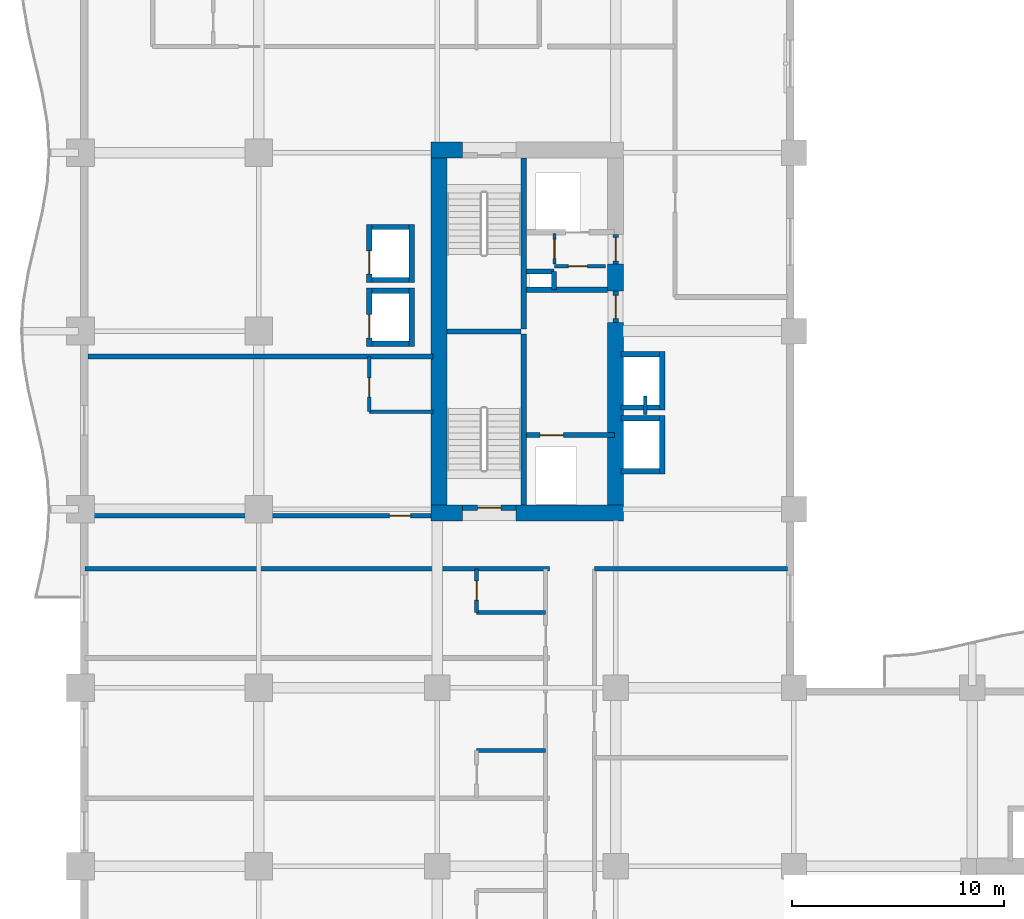
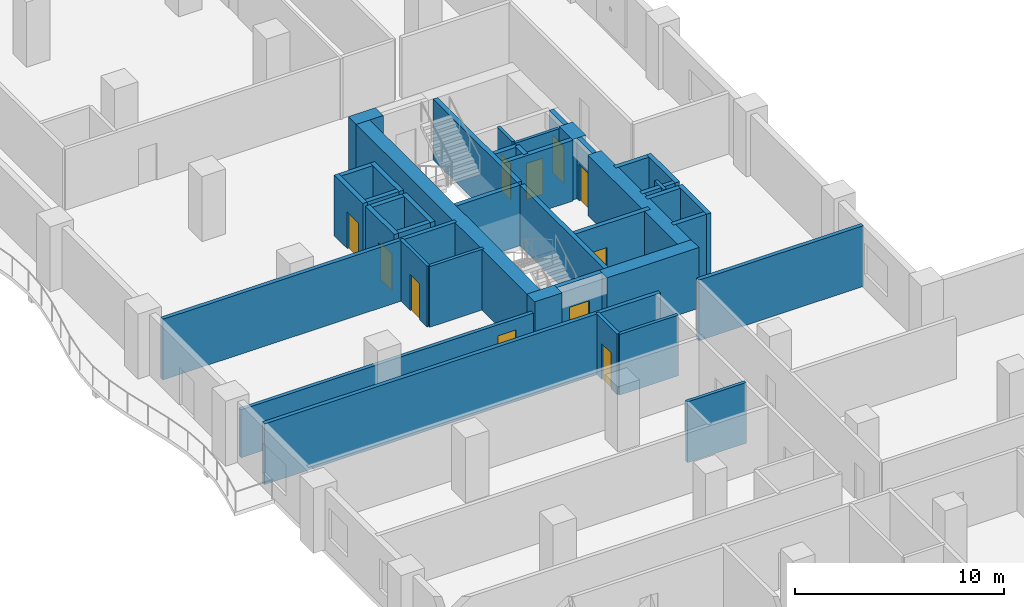
# One storey, part 13 of 23: 42 walls, 11 doors, 11 openings.
"""IFC4 building model written with IfcOpenShell, lengths in metres."""

from ifc_helpers import new_model, si_unit, direction, frame, frame_2d, origin, place, context, subcontext, project, spatial, rectangle, extrude, material, layer, layer_set, type_object, element, fill, save


model = new_model("IFC4")

# Units and contexts
model_context = context("Model", 3, precision=1e-05, world=origin(), true_north=direction((0.0, 1.0)))
body_context = subcontext(model_context, "Body", "Model", "MODEL_VIEW")
ifc_project = project(units=[si_unit("LENGTHUNIT", "METRE"), si_unit("AREAUNIT", "SQUARE_METRE"), si_unit("VOLUMEUNIT", "CUBIC_METRE"), si_unit("PLANEANGLEUNIT", "RADIAN"), si_unit("MASSUNIT", "GRAM", prefix="KILO")], contexts=[model_context])

# Site, building, storey
site_placement = place(None, origin())
site = spatial("IfcSite", under=ifc_project, at=site_placement, CompositionType="ELEMENT")
building_placement = place(site_placement, origin())
building = spatial("IfcBuilding", under=site, at=building_placement, Name="Koriwani Terraces Tower", CompositionType="ELEMENT")
storey_placement = place(building_placement, frame((0.0, 0.0, 119.0)))
storey = spatial("IfcBuildingStorey", under=building, at=storey_placement, Name="L28", CompositionType="ELEMENT", Elevation=119.0)

# Walls
ifc_material_1 = material(Name="Concrete C60/75", Category="concrete")
ifc_layer_1 = layer(ifc_material_1, 0.75, Name="Concrete C60/75")
ifc_layer_set_1 = layer_set([ifc_layer_1], Name="Concrete C60/75")
wall_type_1 = type_object("IfcWallType", Name="WALL_CORE_RC_750", PredefinedType="SHEAR", material=ifc_layer_set_1)
wall_1_placement = place(storey_placement, frame((16.5, 41.824951171875, 0.0), z_axis=(0.0, 0.0, 1.0), x_axis=(1.0, 0.0, 0.0)))
element("IfcWall", 1, at=wall_1_placement, inside=storey, type_object=wall_type_1, Name="L28 West Split Core Shear Wall S1", PredefinedType="SHEAR", context=body_context, shape_type="SweptSolid", body=[
    extrude(rectangle(XDim=1.5, YDim=0.75, at=frame_2d((0.75, 0.0))), origin(), (0.0, 0.0, 1.0), 3.550048828125),
])
wall_2_placement = place(storey_placement, frame((20.5, 41.824951171875, 0.0), z_axis=(0.0, 0.0, 1.0), x_axis=(1.0, 0.0, 0.0)))
element("IfcWall", 2, at=wall_2_placement, inside=storey, type_object=wall_type_1, Name="L28 West Split Core Shear Wall S2", PredefinedType="SHEAR", context=body_context, shape_type="SweptSolid", body=[
    extrude(rectangle(XDim=5.074951171875, YDim=0.75, at=frame_2d((2.53759765625, 0.0))), origin(), (0.0, 0.0, 1.0), 3.550048828125),
])
wall_3_placement = place(storey_placement, frame((16.5, 58.925048828125, 0.0), z_axis=(0.0, 0.0, 1.0), x_axis=(1.0, 0.0, 0.0)))
element("IfcWall", 3, at=wall_3_placement, inside=storey, type_object=wall_type_1, Name="L28 West Split Core Shear Wall N1", PredefinedType="SHEAR", context=body_context, shape_type="SweptSolid", body=[
    extrude(rectangle(XDim=1.5, YDim=0.75, at=frame_2d((0.75, 0.0))), origin(), (0.0, 0.0, 1.0), 3.550048828125),
])
wall_4_placement = place(storey_placement, frame((16.875, 42.199951171875, 0.0), z_axis=(0.0, 0.0, 1.0), x_axis=(0.0, 1.0, 0.0)))
element("IfcWall", 4, at=wall_4_placement, inside=storey, type_object=wall_type_1, Name="L28 West Split Core Shear Wall W1", PredefinedType="SHEAR", context=body_context, shape_type="SweptSolid", body=[
    extrude(rectangle(XDim=16.35009765625, YDim=0.75, at=frame_2d((8.175048828125, 0.0))), origin(), (0.0, 0.0, 1.0), 3.550048828125),
])
wall_5_placement = place(storey_placement, frame((25.199951171875, 42.199951171875, 0.0), z_axis=(0.0, 0.0, 1.0), x_axis=(0.0, 1.0, 0.0)))
element("IfcWall", 5, at=wall_5_placement, inside=storey, type_object=wall_type_1, Name="L28 West Split Core Shear Wall E1", PredefinedType="SHEAR", context=body_context, shape_type="SweptSolid", body=[
    extrude(rectangle(XDim=8.60009765625, YDim=0.75, at=frame_2d((4.300048828125, 0.0))), origin(), (0.0, 0.0, 1.0), 3.550048828125),
])
wall_6_placement = place(storey_placement, frame((25.199951171875, 52.280029296875, 0.0), z_axis=(0.0, 0.0, 1.0), x_axis=(0.0, 1.0, 0.0)))
element("IfcWall", 6, at=wall_6_placement, inside=storey, type_object=wall_type_1, Name="L28 West Split Core Shear Wall E2", PredefinedType="SHEAR", context=body_context, shape_type="SweptSolid", body=[
    extrude(rectangle(XDim=1.27001953125, YDim=0.75, at=frame_2d((0.635009765625, 0.0))), origin(), (0.0, 0.0, 1.0), 3.550048828125),
])

# Wall, opening, door
ifc_material_2 = material(Name="Autoclaved Cellular Concrete Blockwork", Category="masonry")
ifc_layer_2 = layer(ifc_material_2, 0.199951171875, Name="Autoclaved Cellular Concrete Blockwork")
ifc_layer_set_2 = layer_set([ifc_layer_2], Name="Autoclaved Cellular Concrete Blockwork")
wall_type_2 = type_object("IfcWallType", Name="WALL_CORRIDOR_200", PredefinedType="PARTITIONING", material=ifc_layer_set_2)
wall_7_placement = place(storey_placement, frame((0.35009765625, 41.699951171875, 0.0), z_axis=(0.0, 0.0, 1.0), x_axis=(1.0, 0.0, 0.0)))
wall_7 = element("IfcWall", 7, at=wall_7_placement, inside=storey, type_object=wall_type_2, Name="L28 Interior Wall WREC-WS-L28", PredefinedType="PARTITIONING", context=body_context, shape_type="SweptSolid", body=[
    extrude(rectangle(XDim=16.25, YDim=0.199951171875, at=frame_2d((8.125, 0.0))), origin(), (0.0, 0.0, 1.0), 2.800048828125),
])
opening_1_placement = place(wall_7_placement, frame((14.199951171875, 0.0, 0.0)))
opening_1 = element("IfcOpeningElement", 8, at=opening_1_placement, cuts=wall_7, Name="Opening D-05", PredefinedType="OPENING", context=body_context, shape_type="SweptSolid", body=[
    extrude(rectangle(XDim=1.0, YDim=2.14990234375, at=frame_2d((0.5, 1.074951171875))), frame((0.0, 0.10986328125, 0.0), z_axis=(0.0, -1.0, 0.0), x_axis=(1.0, 0.0, 0.0)), (0.0, 0.0, 1.0), 0.219970703125),
])
ifc_material_3 = material(Name="Architectural Oak Fire Door", Category="wood")
door_type_1 = type_object("IfcDoorType", Name="DOOR_SUITE_ENTRY_1000X2150", OperationType="NOTDEFINED", PredefinedType="DOOR", material=ifc_material_3)
door_1_placement = place(opening_1_placement, origin())
door_1 = element("IfcDoor", 9, at=door_1_placement, inside=storey, type_object=door_type_1, Name="L28 Reclaimed West Suite Door", OperationType="SINGLE_SWING_RIGHT", OverallHeight=2.14990234375, OverallWidth=1.0, PredefinedType="DOOR", context=body_context, shape_type="SweptSolid", body=[
    extrude(rectangle(XDim=1.0, YDim=2.14990234375, at=frame_2d((0.5, 1.074951171875))), frame((0.0, 0.02490234375, 0.0), z_axis=(0.0, -1.0, 0.0), x_axis=(1.0, 0.0, 0.0)), (0.0, 0.0, 1.0), 0.050048828125),
])
fill(opening_1, door_1)

# Walls
ifc_layer_3 = layer(ifc_material_2, 0.219970703125, Name="Autoclaved Cellular Concrete Blockwork")
ifc_layer_set_3 = layer_set([ifc_layer_3], Name="Autoclaved Cellular Concrete Blockwork")
wall_type_3 = type_object("IfcWallType", Name="WALL_DEMISING_220", PredefinedType="PARTITIONING", material=ifc_layer_set_3)
wall_8_placement = place(storey_placement, frame((0.35009765625, 49.199951171875, 0.0), z_axis=(0.0, 0.0, 1.0), x_axis=(1.0, 0.0, 0.0)))
element("IfcWall", 10, at=wall_8_placement, inside=storey, type_object=wall_type_3, Name="L28 Interior Wall WREC-WN-L28", PredefinedType="PARTITIONING", context=body_context, shape_type="SweptSolid", body=[
    extrude(rectangle(XDim=16.25, YDim=0.219970703125, at=frame_2d((8.125, 0.0))), origin(), (0.0, 0.0, 1.0), 3.550048828125),
])
wall_9_placement = place(storey_placement, frame((24.199951171875, 39.199951171875, 0.0), z_axis=(0.0, 0.0, 1.0), x_axis=(1.0, 0.0, 0.0)))
element("IfcWall", 11, at=wall_9_placement, inside=storey, type_object=wall_type_3, Name="L28 Interior Wall WIC2-N-L28", PredefinedType="PARTITIONING", context=body_context, shape_type="SweptSolid", body=[
    extrude(rectangle(XDim=9.10009765625, YDim=0.219970703125, at=frame_2d((4.550048828125, 0.0))), origin(), (0.0, 0.0, 1.0), 3.550048828125),
])
wall_10_placement = place(storey_placement, frame((0.199951171875, 39.199951171875, 0.0), z_axis=(0.0, 0.0, 1.0), x_axis=(1.0, 0.0, 0.0)))
element("IfcWall", 12, at=wall_10_placement, inside=storey, type_object=wall_type_3, Name="L28 Interior Wall WDEME-L28-NW", PredefinedType="PARTITIONING", context=body_context, shape_type="SweptSolid", body=[
    extrude(rectangle(XDim=21.880126953125, YDim=0.219970703125, at=frame_2d((10.93994140625, 0.0))), origin(), (0.0, 0.0, 1.0), 3.550048828125),
])
ifc_material_4 = material(Name="Fire-Rated Acoustic Gypsum Partition", Category="masonry")
ifc_layer_4 = layer(ifc_material_4, 0.179931640625, Name="Fire-Rated Acoustic Gypsum Partition")
ifc_layer_set_4 = layer_set([ifc_layer_4], Name="Fire-Rated Acoustic Gypsum Partition")
wall_type_4 = type_object("IfcWallType", Name="WALL_PLUMBING_180", PredefinedType="PLUMBINGWALL", material=ifc_layer_set_4)
wall_11_placement = place(storey_placement, frame((13.60009765625, 46.60009765625, 0.0), z_axis=(0.0, 0.0, 1.0), x_axis=(1.0, 0.0, 0.0)))
element("IfcWall", 13, at=wall_11_placement, inside=storey, type_object=wall_type_4, Name="L28 Interior Wall WREC-WB1-L28", PredefinedType="PLUMBINGWALL", context=body_context, shape_type="SweptSolid", body=[
    extrude(rectangle(XDim=3.0, YDim=0.179931640625, at=frame_2d((1.5, 0.0))), origin(), (0.0, 0.0, 1.0), 3.550048828125),
])

# Wall, opening, door
wall_12_placement = place(storey_placement, frame((13.60009765625, 46.60009765625, 0.0), z_axis=(0.0, 0.0, 1.0), x_axis=(0.0, 1.0, 0.0)))
wall_12 = element("IfcWall", 14, at=wall_12_placement, inside=storey, type_object=wall_type_4, Name="L28 Interior Wall WREC-WB2-L28", PredefinedType="PLUMBINGWALL", context=body_context, shape_type="SweptSolid", body=[
    extrude(rectangle(XDim=2.599853515625, YDim=0.179931640625, at=frame_2d((1.2998046875, 0.0))), origin(), (0.0, 0.0, 1.0), 3.550048828125),
])
opening_2_placement = place(wall_12_placement, frame((0.699951171875, 0.0, 0.0)))
opening_2 = element("IfcOpeningElement", 15, at=opening_2_placement, cuts=wall_12, Name="Opening D-07", PredefinedType="OPENING", context=body_context, shape_type="SweptSolid", body=[
    extrude(rectangle(XDim=0.89990234375, YDim=2.10009765625, at=frame_2d((0.449951171875, 1.050048828125))), frame((0.0, 0.10009765625, 0.0), z_axis=(0.0, -1.0, 0.0), x_axis=(1.0, 0.0, 0.0)), (0.0, 0.0, 1.0), 0.199951171875),
])
door_type_2 = type_object("IfcDoorType", Name="DOOR_BATH_INT_900X2100", OperationType="NOTDEFINED", PredefinedType="DOOR", material=ifc_material_3)
door_2_placement = place(opening_2_placement, origin())
door_2 = element("IfcDoor", 16, at=door_2_placement, inside=storey, type_object=door_type_2, Name="L28 Reclaimed Suite En-Suite Door", OperationType="SINGLE_SWING_LEFT", OverallHeight=2.10009765625, OverallWidth=0.89990234375, PredefinedType="DOOR", context=body_context, shape_type="SweptSolid", body=[
    extrude(rectangle(XDim=0.89990234375, YDim=2.10009765625, at=frame_2d((0.449951171875, 1.050048828125))), frame((0.0, 0.02490234375, 0.0), z_axis=(0.0, -1.0, 0.0), x_axis=(1.0, 0.0, 0.0)), (0.0, 0.0, 1.0), 0.050048828125),
])
fill(opening_2, door_2)

# Wall
wall_13_placement = place(storey_placement, frame((18.64990234375, 30.64990234375, 0.0), z_axis=(0.0, 0.0, 1.0), x_axis=(1.0, 0.0, 0.0)))
element("IfcWall", 17, at=wall_13_placement, inside=storey, type_object=wall_type_4, Name="L28 Interior Wall WBTH2-L28-NW-1", PredefinedType="PLUMBINGWALL", context=body_context, shape_type="SweptSolid", body=[
    extrude(rectangle(XDim=3.25, YDim=0.179931640625, at=frame_2d((1.625, 0.0))), origin(), (0.0, 0.0, 1.0), 3.550048828125),
])

# Wall, opening, door
wall_14_placement = place(storey_placement, frame((18.64990234375, 37.14990234375, 0.0), z_axis=(0.0, 0.0, 1.0), x_axis=(0.0, 1.0, 0.0)))
wall_14 = element("IfcWall", 18, at=wall_14_placement, inside=storey, type_object=wall_type_4, Name="L28 Interior Wall WBTH1-L28-NW-2", PredefinedType="PLUMBINGWALL", context=body_context, shape_type="SweptSolid", body=[
    extrude(rectangle(XDim=2.050048828125, YDim=0.179931640625, at=frame_2d((1.02490234375, 0.0))), origin(), (0.0, 0.0, 1.0), 3.550048828125),
])
opening_3_placement = place(wall_14_placement, frame((0.574951171875, 0.0, 0.0)))
opening_3 = element("IfcOpeningElement", 19, at=opening_3_placement, cuts=wall_14, Name="Opening D-07", PredefinedType="OPENING", context=body_context, shape_type="SweptSolid", body=[
    extrude(rectangle(XDim=0.89990234375, YDim=2.10009765625, at=frame_2d((0.449951171875, 1.050048828125))), frame((0.0, 0.10009765625, 0.0), z_axis=(0.0, -1.0, 0.0), x_axis=(1.0, 0.0, 0.0)), (0.0, 0.0, 1.0), 0.199951171875),
])
door_3_placement = place(opening_3_placement, origin())
door_3 = element("IfcDoor", 20, at=door_3_placement, inside=storey, type_object=door_type_2, Name="En-Suite Bathroom 28NW3 Door", OperationType="SINGLE_SWING_RIGHT", OverallHeight=2.10009765625, OverallWidth=0.89990234375, PredefinedType="DOOR", context=body_context, shape_type="SweptSolid", body=[
    extrude(rectangle(XDim=0.89990234375, YDim=2.10009765625, at=frame_2d((0.449951171875, 1.050048828125))), frame((0.0, 0.02490234375, 0.0), z_axis=(0.0, -1.0, 0.0), x_axis=(1.0, 0.0, 0.0)), (0.0, 0.0, 1.0), 0.050048828125),
])
fill(opening_3, door_3)

# Walls
wall_15_placement = place(storey_placement, frame((18.64990234375, 37.14990234375, 0.0), z_axis=(0.0, 0.0, 1.0), x_axis=(1.0, 0.0, 0.0)))
element("IfcWall", 21, at=wall_15_placement, inside=storey, type_object=wall_type_4, Name="L28 Interior Wall WBTH2-L28-NW-2", PredefinedType="PLUMBINGWALL", context=body_context, shape_type="SweptSolid", body=[
    extrude(rectangle(XDim=3.25, YDim=0.179931640625, at=frame_2d((1.625, 0.0))), origin(), (0.0, 0.0, 1.0), 3.550048828125),
])
ifc_material_5 = material(Name="Concrete C40/50", Category="concrete")
ifc_layer_5 = layer(ifc_material_5, 0.25, Name="Concrete C40/50")
ifc_layer_set_5 = layer_set([ifc_layer_5], Name="Concrete C40/50")
wall_type_5 = type_object("IfcWallType", Name="WALL_SHAFT_RATED_250", PredefinedType="SOLIDWALL", material=ifc_layer_set_5)
for number, where, z_axis, x_axis, name in (
    (22, (20.875, 42.199951171875, 0.0), (0.0, 0.0, 1.0), (0.0, 1.0, 0.0), "L28 West Split Core Web Wall MID1"),
    (23, (20.875, 50.5, 0.0), (0.0, 0.0, 1.0), (0.0, 1.0, 0.0), "L28 West Split Core Web Wall MID2"),
):
    element("IfcWall", number, at=place(storey_placement, frame(where, z_axis=z_axis, x_axis=x_axis)), inside=storey, type_object=wall_type_5, Name=name, PredefinedType="SOLIDWALL", context=body_context, shape_type="SweptSolid", body=[
        extrude(rectangle(XDim=8.050048828125, YDim=0.25, at=frame_2d((4.02490234375, 0.0))), origin(), (0.0, 0.0, 1.0), 3.550048828125),
    ])
wall_16_placement = place(storey_placement, frame((17.25, 50.375, 0.0), z_axis=(0.0, 0.0, 1.0), x_axis=(1.0, 0.0, 0.0)))
element("IfcWall", 24, at=wall_16_placement, inside=storey, type_object=wall_type_5, Name="L28 West Split Core Stair Dividing Wall", PredefinedType="SOLIDWALL", context=body_context, shape_type="SweptSolid", body=[
    extrude(rectangle(XDim=3.5, YDim=0.25, at=frame_2d((1.75, 0.0))), origin(), (0.0, 0.0, 1.0), 3.550048828125),
])

# Wall, opening, door
wall_17_placement = place(storey_placement, frame((18.0, 42.074951171875, 0.0), z_axis=(0.0, 0.0, 1.0), x_axis=(1.0, 0.0, 0.0)))
wall_17 = element("IfcWall", 25, at=wall_17_placement, inside=storey, type_object=wall_type_5, Name="L28 Interior Wall WIN-CW-L28-STS", PredefinedType="SOLIDWALL", context=body_context, shape_type="SweptSolid", body=[
    extrude(rectangle(XDim=2.5, YDim=0.25, at=frame_2d((1.25, 0.0))), origin(), (0.0, 0.0, 1.0), 3.550048828125),
])
opening_4_placement = place(wall_17_placement, frame((0.699951171875, 0.0, 0.0)))
opening_4 = element("IfcOpeningElement", 26, at=opening_4_placement, cuts=wall_17, Name="Opening D-03", PredefinedType="OPENING", context=body_context, shape_type="SweptSolid", body=[
    extrude(rectangle(XDim=1.10009765625, YDim=2.14990234375, at=frame_2d((0.550048828125, 1.074951171875))), frame((0.0, 0.135009765625, 0.0), z_axis=(0.0, -1.0, 0.0), x_axis=(1.0, 0.0, 0.0)), (0.0, 0.0, 1.0), 0.27001953125),
])
ifc_material_6 = material(Name="Steel ASTM A572 Grade 50", Category="steel")
door_type_3 = type_object("IfcDoorType", Name="DOOR_STAIR_FIRE_1100X2150", OperationType="NOTDEFINED", PredefinedType="DOOR", material=ifc_material_6)
door_4_placement = place(opening_4_placement, origin())
door_4 = element("IfcDoor", 27, at=door_4_placement, inside=storey, type_object=door_type_3, Name="L28 Exit Stair ST-W1 Door", OperationType="SINGLE_SWING_RIGHT", OverallHeight=2.14990234375, OverallWidth=1.10009765625, PredefinedType="DOOR", context=body_context, shape_type="SweptSolid", body=[
    extrude(rectangle(XDim=1.10009765625, YDim=2.14990234375, at=frame_2d((0.550048828125, 1.074951171875))), frame((0.0, 0.02490234375, 0.0), z_axis=(0.0, -1.0, 0.0), x_axis=(1.0, 0.0, 0.0)), (0.0, 0.0, 1.0), 0.050048828125),
])
fill(opening_4, door_4)

wall_18_placement = place(storey_placement, frame((21.0, 45.5, 0.0), z_axis=(0.0, 0.0, 1.0), x_axis=(1.0, 0.0, 0.0)))
wall_18 = element("IfcWall", 28, at=wall_18_placement, inside=storey, type_object=wall_type_5, Name="L28 Interior Wall WIN-CW-L28-FE", PredefinedType="SOLIDWALL", context=body_context, shape_type="SweptSolid", body=[
    extrude(rectangle(XDim=4.14990234375, YDim=0.25, at=frame_2d((2.074951171875, 0.0))), origin(), (0.0, 0.0, 1.0), 3.550048828125),
])
opening_5_placement = place(wall_18_placement, frame((0.64990234375, 0.0, 0.0)))
opening_5 = element("IfcOpeningElement", 29, at=opening_5_placement, cuts=wall_18, Name="Opening LD-01", PredefinedType="OPENING", context=body_context, shape_type="SweptSolid", body=[
    extrude(rectangle(XDim=1.10009765625, YDim=2.14990234375, at=frame_2d((0.550048828125, 1.074951171875))), frame((0.0, 0.135009765625, 0.0), z_axis=(0.0, -1.0, 0.0), x_axis=(1.0, 0.0, 0.0)), (0.0, 0.0, 1.0), 0.27001953125),
])
door_type_4 = type_object("IfcDoorType", Name="DOOR_LIFT_LANDING_1100X2200", OperationType="NOTDEFINED", PredefinedType="DOOR", material=ifc_material_6)
door_5_placement = place(opening_5_placement, origin())
door_5 = element("IfcDoor", 30, at=door_5_placement, inside=storey, type_object=door_type_4, Name="L28 Firefighting Lift FE-01 Landing Door", OperationType="SLIDING_TO_LEFT", OverallHeight=2.14990234375, OverallWidth=1.10009765625, PredefinedType="DOOR", context=body_context, shape_type="SweptSolid", body=[
    extrude(rectangle(XDim=1.10009765625, YDim=2.14990234375, at=frame_2d((0.550048828125, 1.074951171875))), frame((0.0, 0.02490234375, 0.0), z_axis=(0.0, -1.0, 0.0), x_axis=(1.0, 0.0, 0.0)), (0.0, 0.0, 1.0), 0.050048828125),
])
fill(opening_5, door_5)

wall_19_placement = place(storey_placement, frame((25.199951171875, 50.800048828125, 0.0), z_axis=(0.0, 0.0, 1.0), x_axis=(0.0, 1.0, 0.0)))
wall_19 = element("IfcWall", 31, at=wall_19_placement, inside=storey, type_object=wall_type_5, Name="L28 Interior Wall WIN-CW-L28-EP", PredefinedType="SOLIDWALL", context=body_context, shape_type="SweptSolid", body=[
    extrude(rectangle(XDim=1.47998046875, YDim=0.25, at=frame_2d((0.739990234375, 0.0))), origin(), (0.0, 0.0, 1.0), 3.550048828125),
])
opening_6_placement = place(wall_19_placement, frame((0.179931640625, 0.0, 0.0)))
opening_6 = element("IfcOpeningElement", 32, at=opening_6_placement, cuts=wall_19, Name="Opening D-03", PredefinedType="OPENING", context=body_context, shape_type="SweptSolid", body=[
    extrude(rectangle(XDim=1.10009765625, YDim=2.14990234375, at=frame_2d((0.550048828125, 1.074951171875))), frame((0.0, 0.135009765625, 0.0), z_axis=(0.0, -1.0, 0.0), x_axis=(1.0, 0.0, 0.0)), (0.0, 0.0, 1.0), 0.27001953125),
])
door_6_placement = place(opening_6_placement, origin())
door_6 = element("IfcDoor", 33, at=door_6_placement, inside=storey, type_object=door_type_3, Name="L28 West Firefighting Lobby Door", OperationType="SINGLE_SWING_RIGHT", OverallHeight=2.14990234375, OverallWidth=1.10009765625, PredefinedType="DOOR", context=body_context, shape_type="SweptSolid", body=[
    extrude(rectangle(XDim=1.10009765625, YDim=2.14990234375, at=frame_2d((0.550048828125, 1.074951171875))), frame((0.0, 0.02490234375, 0.0), z_axis=(0.0, -1.0, 0.0), x_axis=(1.0, 0.0, 0.0)), (0.0, 0.0, 1.0), 0.050048828125),
])
fill(opening_6, door_6)

# Wall
wall_20_placement = place(storey_placement, frame((21.0, 52.340087890625, 0.0), z_axis=(0.0, 0.0, 1.0), x_axis=(1.0, 0.0, 0.0)))
element("IfcWall", 34, at=wall_20_placement, inside=storey, type_object=wall_type_5, Name="L28 Interior Wall WIN-CW-L28-FFN", PredefinedType="SOLIDWALL", context=body_context, shape_type="SweptSolid", body=[
    extrude(rectangle(XDim=3.824951171875, YDim=0.25, at=frame_2d((1.91259765625, 0.0))), origin(), (0.0, 0.0, 1.0), 3.550048828125),
])

# Wall, opening, door
wall_21_placement = place(storey_placement, frame((25.199951171875, 53.550048828125, 0.0), z_axis=(0.0, 0.0, 1.0), x_axis=(0.0, 1.0, 0.0)))
wall_21 = element("IfcWall", 35, at=wall_21_placement, inside=storey, type_object=wall_type_5, Name="L28 Interior Wall WIN-CW-L28-EP2", PredefinedType="SOLIDWALL", context=body_context, shape_type="SweptSolid", body=[
    extrude(rectangle(XDim=1.39990234375, YDim=0.25, at=frame_2d((0.699951171875, 0.0))), origin(), (0.0, 0.0, 1.0), 3.550048828125),
])
opening_7_placement = place(wall_21_placement, frame((0.14990234375, 0.0, 0.0)))
opening_7 = element("IfcOpeningElement", 36, at=opening_7_placement, cuts=wall_21, Name="Opening D-03", PredefinedType="OPENING", context=body_context, shape_type="SweptSolid", body=[
    extrude(rectangle(XDim=1.10009765625, YDim=2.14990234375, at=frame_2d((0.550048828125, 1.074951171875))), frame((0.0, 0.135009765625, 0.0), z_axis=(0.0, -1.0, 0.0), x_axis=(1.0, 0.0, 0.0)), (0.0, 0.0, 1.0), 0.27001953125),
])
door_7_placement = place(opening_7_placement, origin())
door_7 = element("IfcDoor", 37, at=door_7_placement, inside=storey, type_object=door_type_3, Name="L28 West Goods Lift Lobby Door", OperationType="SINGLE_SWING_LEFT", OverallHeight=2.14990234375, OverallWidth=1.10009765625, PredefinedType="DOOR", context=body_context, shape_type="SweptSolid", body=[
    extrude(rectangle(XDim=1.10009765625, YDim=2.14990234375, at=frame_2d((0.550048828125, 1.074951171875))), frame((0.0, 0.02490234375, 0.0), z_axis=(0.0, -1.0, 0.0), x_axis=(1.0, 0.0, 0.0)), (0.0, 0.0, 1.0), 0.050048828125),
])
fill(opening_7, door_7)

# Walls
wall_22_placement = place(storey_placement, frame((21.0, 53.199951171875, 0.0), z_axis=(0.0, 0.0, 1.0), x_axis=(1.0, 0.0, 0.0)))
element("IfcWall", 38, at=wall_22_placement, inside=storey, type_object=wall_type_5, Name="L28 Interior Wall WIN-CW-L28-RS1", PredefinedType="SOLIDWALL", context=body_context, shape_type="SweptSolid", body=[
    extrude(rectangle(XDim=1.300048828125, YDim=0.25, at=frame_2d((0.64990234375, 0.0))), origin(), (0.0, 0.0, 1.0), 3.550048828125),
])
wall_23_placement = place(storey_placement, frame((22.300048828125, 52.360107421875, 0.0), z_axis=(0.0, 0.0, 1.0), x_axis=(0.0, 1.0, 0.0)))
element("IfcWall", 39, at=wall_23_placement, inside=storey, type_object=wall_type_5, Name="L28 Interior Wall WIN-CW-L28-RS2", PredefinedType="SOLIDWALL", context=body_context, shape_type="SweptSolid", body=[
    extrude(rectangle(XDim=0.83984375, YDim=0.25, at=frame_2d((0.419921875, 0.0))), origin(), (0.0, 0.0, 1.0), 3.550048828125),
])

# Wall, opening, door
wall_24_placement = place(storey_placement, frame((13.60009765625, 49.675048828125, 0.0), z_axis=(0.0, 0.0, 1.0), x_axis=(0.0, 1.0, 0.0)))
wall_24 = element("IfcWall", 40, at=wall_24_placement, inside=storey, type_object=wall_type_5, Name="L28 Interior Wall WIN-LF-PE-M1-L28-F", PredefinedType="SOLIDWALL", context=body_context, shape_type="SweptSolid", body=[
    extrude(rectangle(XDim=2.75, YDim=0.25, at=frame_2d((1.375, 0.0))), origin(), (0.0, 0.0, 1.0), 3.550048828125),
])
opening_8_placement = place(wall_24_placement, frame((0.39990234375, 0.0, 0.0)))
opening_8 = element("IfcOpeningElement", 41, at=opening_8_placement, cuts=wall_24, Name="Opening LD-01", PredefinedType="OPENING", context=body_context, shape_type="SweptSolid", body=[
    extrude(rectangle(XDim=1.10009765625, YDim=2.14990234375, at=frame_2d((0.550048828125, 1.074951171875))), frame((0.0, 0.135009765625, 0.0), z_axis=(0.0, -1.0, 0.0), x_axis=(1.0, 0.0, 0.0)), (0.0, 0.0, 1.0), 0.27001953125),
])
door_8_placement = place(opening_8_placement, origin())
door_8 = element("IfcDoor", 42, at=door_8_placement, inside=storey, type_object=door_type_4, Name="L28 Passenger Lift PE-M1 Landing Door", OperationType="SLIDING_TO_LEFT", OverallHeight=2.14990234375, OverallWidth=1.10009765625, PredefinedType="DOOR", context=body_context, shape_type="SweptSolid", body=[
    extrude(rectangle(XDim=1.10009765625, YDim=2.14990234375, at=frame_2d((0.550048828125, 1.074951171875))), frame((0.0, 0.02490234375, 0.0), z_axis=(0.0, -1.0, 0.0), x_axis=(1.0, 0.0, 0.0)), (0.0, 0.0, 1.0), 0.050048828125),
])
fill(opening_8, door_8)

# Walls
wall_25_placement = place(storey_placement, frame((15.60009765625, 49.675048828125, 0.0), z_axis=(0.0, 0.0, 1.0), x_axis=(0.0, 1.0, 0.0)))
element("IfcWall", 43, at=wall_25_placement, inside=storey, type_object=wall_type_5, Name="L28 Interior Wall WIN-LF-PE-M1-L28-B", PredefinedType="SOLIDWALL", context=body_context, shape_type="SweptSolid", body=[
    extrude(rectangle(XDim=2.75, YDim=0.25, at=frame_2d((1.375, 0.0))), origin(), (0.0, 0.0, 1.0), 3.550048828125),
])
for number, where, z_axis, x_axis, name in (
    (44, (13.72509765625, 49.800048828125, 0.0), (0.0, 0.0, 1.0), (1.0, 0.0, 0.0), "L28 Interior Wall WIN-LF-PE-M1-L28-S"),
    (45, (13.72509765625, 52.300048828125, 0.0), (0.0, 0.0, 1.0), (1.0, 0.0, 0.0), "L28 Interior Wall WIN-LF-PE-M1-L28-N"),
):
    element("IfcWall", number, at=place(storey_placement, frame(where, z_axis=z_axis, x_axis=x_axis)), inside=storey, type_object=wall_type_5, Name=name, PredefinedType="SOLIDWALL", context=body_context, shape_type="SweptSolid", body=[
        extrude(rectangle(XDim=1.75, YDim=0.25, at=frame_2d((0.875, 0.0))), origin(), (0.0, 0.0, 1.0), 3.550048828125),
    ])

# Wall, opening, door
wall_26_placement = place(storey_placement, frame((13.60009765625, 52.675048828125, 0.0), z_axis=(0.0, 0.0, 1.0), x_axis=(0.0, 1.0, 0.0)))
wall_26 = element("IfcWall", 46, at=wall_26_placement, inside=storey, type_object=wall_type_5, Name="L28 Interior Wall WIN-LF-PE-M2-L28-F", PredefinedType="SOLIDWALL", context=body_context, shape_type="SweptSolid", body=[
    extrude(rectangle(XDim=2.75, YDim=0.25, at=frame_2d((1.375, 0.0))), origin(), (0.0, 0.0, 1.0), 3.550048828125),
])
opening_9_placement = place(wall_26_placement, frame((0.39990234375, 0.0, 0.0)))
opening_9 = element("IfcOpeningElement", 47, at=opening_9_placement, cuts=wall_26, Name="Opening LD-01", PredefinedType="OPENING", context=body_context, shape_type="SweptSolid", body=[
    extrude(rectangle(XDim=1.10009765625, YDim=2.14990234375, at=frame_2d((0.550048828125, 1.074951171875))), frame((0.0, 0.135009765625, 0.0), z_axis=(0.0, -1.0, 0.0), x_axis=(1.0, 0.0, 0.0)), (0.0, 0.0, 1.0), 0.27001953125),
])
door_9_placement = place(opening_9_placement, origin())
door_9 = element("IfcDoor", 48, at=door_9_placement, inside=storey, type_object=door_type_4, Name="L28 Passenger Lift PE-M2 Landing Door", OperationType="SLIDING_TO_LEFT", OverallHeight=2.14990234375, OverallWidth=1.10009765625, PredefinedType="DOOR", context=body_context, shape_type="SweptSolid", body=[
    extrude(rectangle(XDim=1.10009765625, YDim=2.14990234375, at=frame_2d((0.550048828125, 1.074951171875))), frame((0.0, 0.02490234375, 0.0), z_axis=(0.0, -1.0, 0.0), x_axis=(1.0, 0.0, 0.0)), (0.0, 0.0, 1.0), 0.050048828125),
])
fill(opening_9, door_9)

# Walls
wall_27_placement = place(storey_placement, frame((15.60009765625, 52.675048828125, 0.0), z_axis=(0.0, 0.0, 1.0), x_axis=(0.0, 1.0, 0.0)))
element("IfcWall", 49, at=wall_27_placement, inside=storey, type_object=wall_type_5, Name="L28 Interior Wall WIN-LF-PE-M2-L28-B", PredefinedType="SOLIDWALL", context=body_context, shape_type="SweptSolid", body=[
    extrude(rectangle(XDim=2.75, YDim=0.25, at=frame_2d((1.375, 0.0))), origin(), (0.0, 0.0, 1.0), 3.550048828125),
])
for number, where, z_axis, x_axis, name in (
    (50, (13.72509765625, 52.800048828125, 0.0), (0.0, 0.0, 1.0), (1.0, 0.0, 0.0), "L28 Interior Wall WIN-LF-PE-M2-L28-S"),
    (51, (13.72509765625, 55.300048828125, 0.0), (0.0, 0.0, 1.0), (1.0, 0.0, 0.0), "L28 Interior Wall WIN-LF-PE-M2-L28-N"),
):
    element("IfcWall", number, at=place(storey_placement, frame(where, z_axis=z_axis, x_axis=x_axis)), inside=storey, type_object=wall_type_5, Name=name, PredefinedType="SOLIDWALL", context=body_context, shape_type="SweptSolid", body=[
        extrude(rectangle(XDim=1.75, YDim=0.25, at=frame_2d((0.875, 0.0))), origin(), (0.0, 0.0, 1.0), 3.550048828125),
    ])
wall_28_placement = place(storey_placement, frame((27.39990234375, 43.675048828125, 0.0), z_axis=(0.0, 0.0, 1.0), x_axis=(0.0, 1.0, 0.0)))
element("IfcWall", 52, at=wall_28_placement, inside=storey, type_object=wall_type_5, Name="L28 Interior Wall WIN-LF-PE-H1-L28-F", PredefinedType="SOLIDWALL", context=body_context, shape_type="SweptSolid", body=[
    extrude(rectangle(XDim=2.75, YDim=0.25, at=frame_2d((1.375, 0.0))), origin(), (0.0, 0.0, 1.0), 3.550048828125),
])
for number, where, z_axis, x_axis, name in (
    (53, (25.449951171875, 43.800048828125, 0.0), (0.0, 0.0, 1.0), (1.0, 0.0, 0.0), "L28 Interior Wall WIN-LF-PE-H1-L28-S"),
    (54, (25.449951171875, 46.300048828125, 0.0), (0.0, 0.0, 1.0), (1.0, 0.0, 0.0), "L28 Interior Wall WIN-LF-PE-H1-L28-N"),
):
    element("IfcWall", number, at=place(storey_placement, frame(where, z_axis=z_axis, x_axis=x_axis)), inside=storey, type_object=wall_type_5, Name=name, PredefinedType="SOLIDWALL", context=body_context, shape_type="SweptSolid", body=[
        extrude(rectangle(XDim=1.824951171875, YDim=0.25, at=frame_2d((0.91259765625, 0.0))), origin(), (0.0, 0.0, 1.0), 3.550048828125),
    ])
wall_29_placement = place(storey_placement, frame((27.39990234375, 46.675048828125, 0.0), z_axis=(0.0, 0.0, 1.0), x_axis=(0.0, 1.0, 0.0)))
element("IfcWall", 55, at=wall_29_placement, inside=storey, type_object=wall_type_5, Name="L28 Interior Wall WIN-LF-PE-H2-L28-F", PredefinedType="SOLIDWALL", context=body_context, shape_type="SweptSolid", body=[
    extrude(rectangle(XDim=2.75, YDim=0.25, at=frame_2d((1.375, 0.0))), origin(), (0.0, 0.0, 1.0), 3.550048828125),
])
for number, where, z_axis, x_axis, name in (
    (56, (25.449951171875, 46.800048828125, 0.0), (0.0, 0.0, 1.0), (1.0, 0.0, 0.0), "L28 Interior Wall WIN-LF-PE-H2-L28-S"),
    (57, (25.449951171875, 49.300048828125, 0.0), (0.0, 0.0, 1.0), (1.0, 0.0, 0.0), "L28 Interior Wall WIN-LF-PE-H2-L28-N"),
):
    element("IfcWall", number, at=place(storey_placement, frame(where, z_axis=z_axis, x_axis=x_axis)), inside=storey, type_object=wall_type_5, Name=name, PredefinedType="SOLIDWALL", context=body_context, shape_type="SweptSolid", body=[
        extrude(rectangle(XDim=1.824951171875, YDim=0.25, at=frame_2d((0.91259765625, 0.0))), origin(), (0.0, 0.0, 1.0), 3.550048828125),
    ])

# Wall, opening, door
ifc_layer_6 = layer(ifc_material_4, 0.159912109375, Name="Fire-Rated Acoustic Gypsum Partition")
ifc_layer_set_6 = layer_set([ifc_layer_6], Name="Fire-Rated Acoustic Gypsum Partition")
wall_type_6 = type_object("IfcWallType", Name="WALL_SUITE_160", PredefinedType="PARTITIONING", material=ifc_layer_set_6)
wall_30_placement = place(storey_placement, frame((22.320068359375, 53.56005859375, 0.0), z_axis=(0.0, 0.0, 1.0), x_axis=(0.0, 1.0, 0.0)))
wall_30 = element("IfcWall", 58, at=wall_30_placement, inside=storey, type_object=wall_type_6, Name="L28 Interior Wall WIN-CW-L28-SV1A", PredefinedType="PARTITIONING", context=body_context, shape_type="SweptSolid", body=[
    extrude(rectangle(XDim=1.43994140625, YDim=0.159912109375, at=frame_2d((0.719970703125, 0.0))), origin(), (0.0, 0.0, 1.0), 3.550048828125),
])
opening_10_placement = place(wall_30_placement, frame((0.260009765625, 0.0, 0.0)))
opening_10 = element("IfcOpeningElement", 59, at=opening_10_placement, cuts=wall_30, Name="Opening D-07", PredefinedType="OPENING", context=body_context, shape_type="SweptSolid", body=[
    extrude(rectangle(XDim=0.89990234375, YDim=2.10009765625, at=frame_2d((0.449951171875, 1.050048828125))), frame((0.0, 0.08984375, 0.0), z_axis=(0.0, -1.0, 0.0), x_axis=(1.0, 0.0, 0.0)), (0.0, 0.0, 1.0), 0.179931640625),
])
door_10_placement = place(opening_10_placement, origin())
door_10 = element("IfcDoor", 60, at=door_10_placement, inside=storey, type_object=door_type_2, Name="L28 West Telecom Room Door", OperationType="SINGLE_SWING_RIGHT", OverallHeight=2.10009765625, OverallWidth=0.89990234375, PredefinedType="DOOR", context=body_context, shape_type="SweptSolid", body=[
    extrude(rectangle(XDim=0.89990234375, YDim=2.10009765625, at=frame_2d((0.449951171875, 1.050048828125))), frame((0.0, 0.02490234375, 0.0), z_axis=(0.0, -1.0, 0.0), x_axis=(1.0, 0.0, 0.0)), (0.0, 0.0, 1.0), 0.050048828125),
])
fill(opening_10, door_10)

wall_31_placement = place(storey_placement, frame((22.320068359375, 53.4599609375, 0.0), z_axis=(0.0, 0.0, 1.0), x_axis=(1.0, 0.0, 0.0)))
wall_31 = element("IfcWall", 61, at=wall_31_placement, inside=storey, type_object=wall_type_6, Name="L28 Interior Wall WIN-CW-L28-SV1B", PredefinedType="PARTITIONING", context=body_context, shape_type="SweptSolid", body=[
    extrude(rectangle(XDim=2.39990234375, YDim=0.159912109375, at=frame_2d((1.199951171875, 0.0))), origin(), (0.0, 0.0, 1.0), 3.550048828125),
])
opening_11_placement = place(wall_31_placement, frame((0.64990234375, 0.0, 0.0)))
opening_11 = element("IfcOpeningElement", 62, at=opening_11_placement, cuts=wall_31, Name="Opening D-07", PredefinedType="OPENING", context=body_context, shape_type="SweptSolid", body=[
    extrude(rectangle(XDim=0.89990234375, YDim=2.10009765625, at=frame_2d((0.449951171875, 1.050048828125))), frame((0.0, 0.08984375, 0.0), z_axis=(0.0, -1.0, 0.0), x_axis=(1.0, 0.0, 0.0)), (0.0, 0.0, 1.0), 0.179931640625),
])
door_11_placement = place(opening_11_placement, origin())
door_11 = element("IfcDoor", 63, at=door_11_placement, inside=storey, type_object=door_type_2, Name="L28 West Cleaners Closet Door", OperationType="SINGLE_SWING_LEFT", OverallHeight=2.10009765625, OverallWidth=0.89990234375, PredefinedType="DOOR", context=body_context, shape_type="SweptSolid", body=[
    extrude(rectangle(XDim=0.89990234375, YDim=2.10009765625, at=frame_2d((0.449951171875, 1.050048828125))), frame((0.0, 0.02490234375, 0.0), z_axis=(0.0, -1.0, 0.0), x_axis=(1.0, 0.0, 0.0)), (0.0, 0.0, 1.0), 0.050048828125),
])
fill(opening_11, door_11)

# Wall
wall_32_placement = place(storey_placement, frame((26.60009765625, 46.4599609375, 0.0), z_axis=(0.0, 0.0, 1.0), x_axis=(0.0, 1.0, 0.0)))
element("IfcWall", 64, at=wall_32_placement, inside=storey, type_object=wall_type_6, Name="L28 Interior Wall WIN-LF-PEH12-MID-L28", PredefinedType="PARTITIONING", context=body_context, shape_type="SweptSolid", body=[
    extrude(rectangle(XDim=0.880126953125, YDim=0.159912109375, at=frame_2d((0.43994140625, 0.0))), origin(), (0.0, 0.0, 1.0), 3.550048828125),
])

save(model, "model.ifc")
